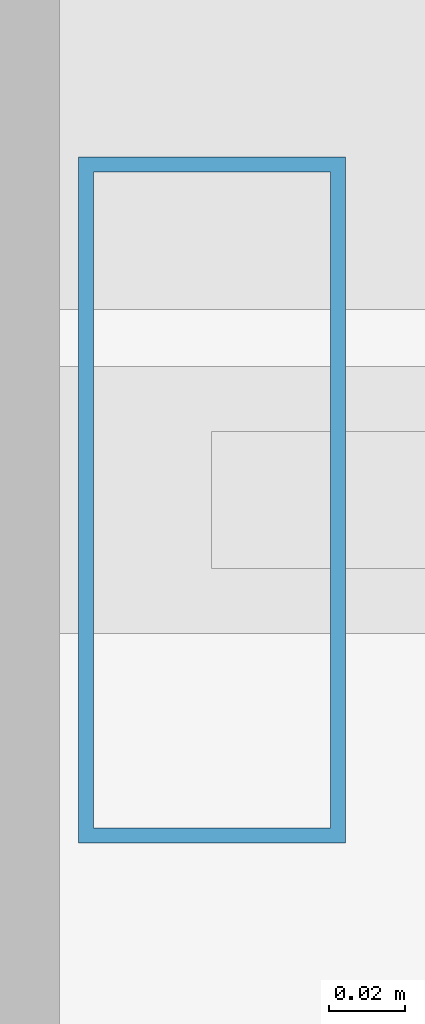
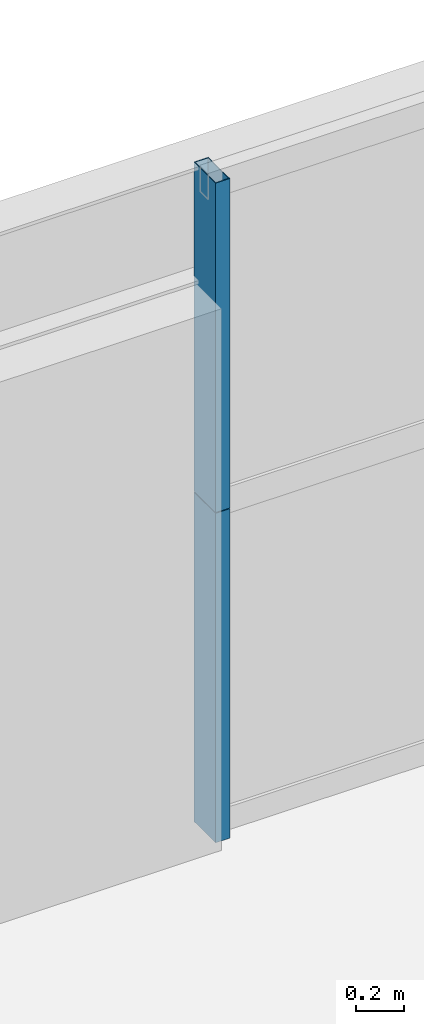
# One storey, part 25 of 45: 2 members, 1 element without a shape of its own.
"""IFC4 building model written with IfcOpenShell, lengths in metres."""

from ifc_helpers import new_model, si_unit, direction, frame, origin, origin_2d, place, context, subcontext, project, spatial, hollow_rectangle, extrude, source, transform, mapped, material, layer, layer_set, material_profile, profile_set, type_object, element, aggregate, save


model = new_model("IFC4")

# Units and contexts
model_context = context("Model", 3, precision=1e-05, world=origin(), true_north=direction((0.0, 1.0)))
body_context = subcontext(model_context, "Body", "Model", "MODEL_VIEW")
ifc_project = project(units=[si_unit("LENGTHUNIT", "METRE"), si_unit("AREAUNIT", "SQUARE_METRE"), si_unit("VOLUMEUNIT", "CUBIC_METRE"), si_unit("PLANEANGLEUNIT", "RADIAN"), si_unit("MASSUNIT", "GRAM", prefix="KILO"), si_unit("THERMODYNAMICTEMPERATUREUNIT", "KELVIN"), si_unit("POWERUNIT", "WATT")], contexts=[model_context])

# Site, building, storey
site_placement = place(None, origin())
site = spatial("IfcSite", under=ifc_project, at=site_placement, CompositionType="ELEMENT")
building_placement = place(site_placement, origin())
building = spatial("IfcBuilding", under=site, at=building_placement, Name="Yuzanri Waterfront Tower", CompositionType="ELEMENT")
storey_placement = place(building_placement, frame((0.0, 0.0, 30.60009765625)))
storey = spatial("IfcBuildingStorey", under=building, at=storey_placement, Name="L07", CompositionType="ELEMENT", Elevation=30.60009765625)

# Curtain wall, members
ifc_material_1 = material(Name="Anodized Architectural Bronze", Category="metal")
ifc_layer = layer(ifc_material_1, 0.159912109375)
ifc_layer_set = layer_set([ifc_layer], Name="Anodized Architectural Bronze")
curtain_wall_type = type_object("IfcCurtainWallType", Name="Anodized Bronze Hotel Lower-Tier Recessed Unitized Curtain Wall 8100", PredefinedType="NOTDEFINED", material=ifc_layer_set)
curtain_wall_placement = place(storey_placement, origin())
curtain_wall = element("IfcCurtainWall", 1, at=curtain_wall_placement, inside=storey, type_object=curtain_wall_type, Name="L07 Curtain Wall CW-L07-NL", PredefinedType="NOTDEFINED")
ifc_material_2 = material(Name="Anodized Architectural Bronze", Category="metal")
ifc_material_profile = material_profile(ifc_material_2, hollow_rectangle(XDim=0.070068359375, YDim=0.179931640625, WallThickness=0.00390625, at=origin_2d()), Name="CWM 70x180")
ifc_profile_set = profile_set([ifc_material_profile], Name="Anodized Architectural Bronze")
member_type = type_object("IfcMemberType", Name="Anodized Bronze Standard Curtain-Wall Mullion 70x180", PredefinedType="MULLION", material=ifc_profile_set)
shared_shape = source(origin(), body_context, "Body", "SweptSolid", [
    extrude(hollow_rectangle(XDim=0.070068359375, YDim=0.179931640625, WallThickness=0.00390625, at=origin_2d()), origin(), (0.0, 0.0, 1.0), 1.68798828125),
])
member_1_placement = place(storey_placement, frame((19.2900390625, 50.75, 0.0), z_axis=(0.0, 0.0, 1.0), x_axis=(1.0, 0.0, 0.0)))
member_1 = element("IfcMember", 2, at=member_1_placement, type_object=member_type, Name="CW-L07-NL Lower Mullion 00", PredefinedType="MULLION", context=body_context, shape_type="MappedRepresentation", body=[
    mapped(shared_shape, transform((0.0, 0.0, 0.0), scale=1.0)),
])
member_2_placement = place(storey_placement, frame((19.2900390625, 50.75, 1.69189453125), z_axis=(0.0, 0.0, 1.0), x_axis=(1.0, 0.0, 0.0)))
member_2 = element("IfcMember", 3, at=member_2_placement, type_object=member_type, Name="CW-L07-NL Upper Mullion 00", PredefinedType="MULLION", context=body_context, shape_type="MappedRepresentation", body=[
    mapped(shared_shape, transform((0.0, 0.0, 0.0), scale=1.0)),
])
aggregate(curtain_wall, [member_1, member_2])

save(model, "model.ifc")
